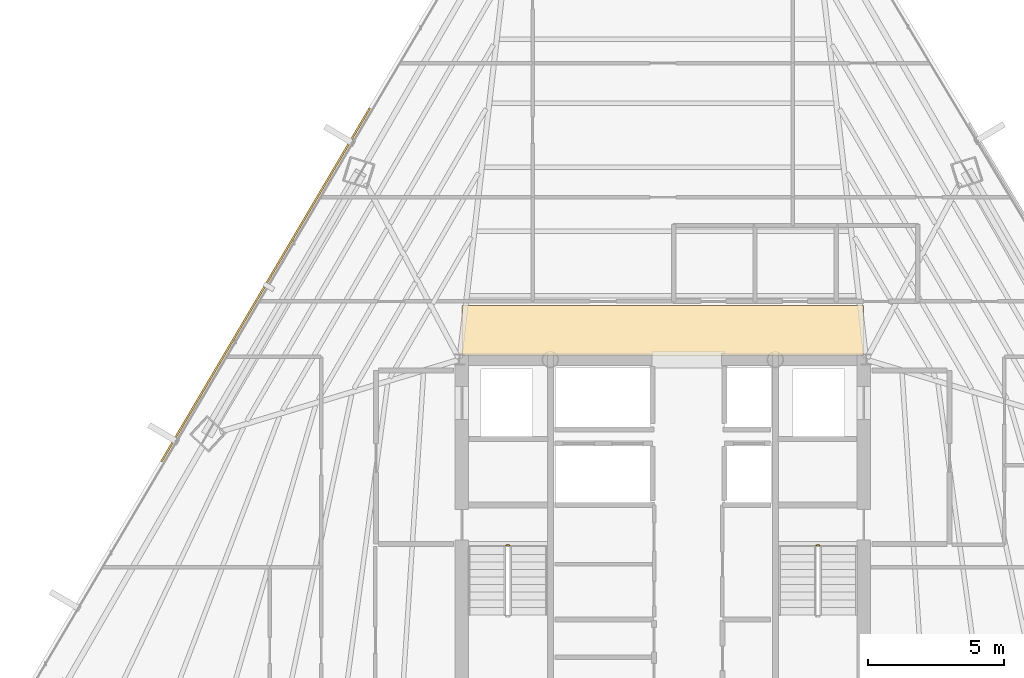
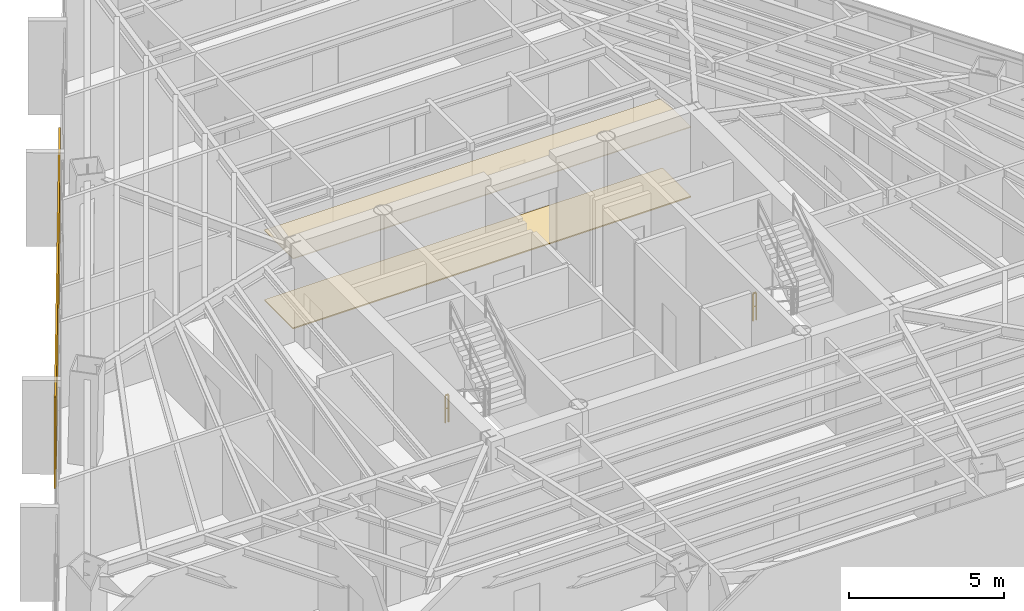
# One storey, part 40 of 41: 2 coverings, 2 railings, 1 shading device.
"""IFC4 building model written with IfcOpenShell, lengths in metres."""

from ifc_helpers import new_model, si_unit, direction, frame, origin, origin_2d, place, context, subcontext, project, spatial, polyline, rectangle, outline, extrude, source, transform, mapped, material, layer, layer_set, type_object, type_shapes, element, save


model = new_model("IFC4")

# Units and contexts
model_context = context("Model", 3, precision=1e-05, world=origin(), true_north=direction((0.0, 1.0)))
body_context = subcontext(model_context, "Body", "Model", "MODEL_VIEW")
ifc_project = project(units=[si_unit("LENGTHUNIT", "METRE"), si_unit("AREAUNIT", "SQUARE_METRE"), si_unit("VOLUMEUNIT", "CUBIC_METRE"), si_unit("PLANEANGLEUNIT", "RADIAN"), si_unit("MASSUNIT", "GRAM", prefix="KILO")], contexts=[model_context])

# Site, building, storey
site_placement = place(None, origin())
site = spatial("IfcSite", under=ifc_project, at=site_placement, CompositionType="ELEMENT")
building_placement = place(site_placement, origin())
building = spatial("IfcBuilding", under=site, at=building_placement, Name="Caelisora Broadcast Tower", CompositionType="ELEMENT")
storey_placement = place(building_placement, frame((0.0, 0.0, 180.39990234375)))
storey = spatial("IfcBuildingStorey", under=building, at=storey_placement, Name="L47", CompositionType="ELEMENT", Elevation=180.39990234375)

# Coverings
ifc_material_1 = material(Name="Perforated Mineral-Fibre Acoustic Ceiling Tile", Category="gypsum")
ifc_layer_1 = layer(ifc_material_1, 0.034912109375, Name="Perforated Mineral-Fibre Acoustic Ceiling Tile")
ifc_layer_set_1 = layer_set([ifc_layer_1], Name="Perforated Mineral-Fibre Acoustic Ceiling Tile")
covering_type_1 = type_object("IfcCoveringType", Name="CE-1", PredefinedType="CEILING", material=ifc_layer_set_1)
covering_1_placement = place(storey_placement, frame((0.0, 0.0, 2.75)))
element("IfcCovering", 1, at=covering_1_placement, inside=storey, type_object=covering_type_1, Name="L47 acoustic corridor ceiling CE-1 (N)", PredefinedType="CEILING", context=body_context, shape_type="SweptSolid", body=[
    extrude(outline(polyline([(30.60009765625, 30.14990234375), (45.39990234375, 30.14990234375), (45.39990234375, 32.0), (30.60009765625, 32.0), (30.60009765625, 30.14990234375)])), origin(), (0.0, 0.0, 1.0), 0.03515625),
])
ifc_material_2 = material(Name="Anti-Static Broadcast Raised Access Floor Panel", Category="steel")
ifc_layer_2 = layer(ifc_material_2, 0.044921875, Name="Anti-Static Broadcast Raised Access Floor Panel")
ifc_layer_set_2 = layer_set([ifc_layer_2], Name="Anti-Static Broadcast Raised Access Floor Panel")
covering_type_2 = type_object("IfcCoveringType", Name="FL-1", PredefinedType="FLOORING", material=ifc_layer_set_2)
covering_2_placement = place(storey_placement, origin())
element("IfcCovering", 2, at=covering_2_placement, inside=storey, type_object=covering_type_2, Name="L47 broadcast raised access floor FL-1 (N)", PredefinedType="FLOORING", context=body_context, shape_type="SweptSolid", body=[
    extrude(outline(polyline([(30.60009765625, 30.14990234375), (45.39990234375, 30.14990234375), (45.39990234375, 32.0), (30.60009765625, 32.0), (30.60009765625, 30.14990234375)])), origin(), (0.0, 0.0, 1.0), 0.045166015625),
])

# Railings
ifc_material_3 = material(Name="Galvanised Steel Safety Guardrail", Category="steel")
ifc_layer_3 = layer(ifc_material_3, 0.048095703125, Name="Galvanised Steel Safety Guardrail")
ifc_layer_set_3 = layer_set([ifc_layer_3], Name="Galvanised Steel Safety Guardrail")
railing_type = type_object("IfcRailingType", Name="GR-1", PredefinedType="GUARDRAIL", material=ifc_layer_set_3)
for number, where, name in (
    (3, (32.219970703125, 23.14990234375, 0.0), "L47 ST-1 stair guard 4"),
    (4, (43.659912109375, 23.14990234375, 0.0), "L47 ST-2 stair guard 4"),
):
    element("IfcRailing", number, at=place(storey_placement, frame(where)), inside=storey, type_object=railing_type, Name=name, PredefinedType="GUARDRAIL", context=body_context, shape_type="SweptSolid", body=[
        extrude(rectangle(XDim=0.048095703125, YDim=0.048095703125, at=origin_2d()), frame((0.0, 0.0, 1.076171875), z_axis=(1.0, 0.0, 0.0), x_axis=(0.0, 1.0, 0.0)), (0.0, 0.0, 1.0), 0.1201171875),
        extrude(rectangle(XDim=0.03125, YDim=0.03125, at=origin_2d()), frame((0.0, 0.0, 0.550048828125), z_axis=(1.0, 0.0, 0.0), x_axis=(0.0, 1.0, 0.0)), (0.0, 0.0, 1.0), 0.1201171875),
        extrude(rectangle(XDim=0.0419921875, YDim=0.0419921875, at=origin_2d()), origin(), (0.0, 0.0, 1.0), 1.052001953125),
        extrude(rectangle(XDim=0.0419921875, YDim=0.0419921875, at=origin_2d()), frame((0.1201171875, 0.0, 0.0)), (0.0, 0.0, 1.0), 1.052001953125),
    ])

# Shading device
ifc_material_4 = material(Name="Perforated Glazed Terracotta Baguette Solar Screen", Category="ceramic")
ifc_layer_4 = layer(ifc_material_4, 0.06494140625, Name="Perforated Glazed Terracotta Baguette Solar Screen")
ifc_layer_set_4 = layer_set([ifc_layer_4], Name="Perforated Glazed Terracotta Baguette Solar Screen")
shading_device_type = type_object("IfcShadingDeviceType", Name="SS-1", PredefinedType="USERDEFINED", material=ifc_layer_set_4)
shared_shape = source(origin(), body_context, "Body", "SweptSolid", [
    extrude(rectangle(XDim=15.134033203125, YDim=0.06494140625, at=origin_2d()), origin(), (0.0, 0.0, 1.0), 3.590087890625),
])
type_shapes(shading_device_type, [shared_shape])
shading_device_placement = place(storey_placement, frame((23.347900390625, 32.759765625, 0.0), z_axis=(0.0, 0.0, 1.0), x_axis=(-0.508139769859, -0.861274621876, 0.0)))
element("IfcShadingDevice", 5, at=shading_device_placement, inside=storey, type_object=shading_device_type, Name="L47 perforated terracotta solar screen #1", ObjectType="SOLAR SCREEN", PredefinedType="USERDEFINED", context=body_context, shape_type="MappedRepresentation", body=[
    mapped(shared_shape, transform((0.0, 0.0, 0.0), scale=1.0)),
])

save(model, "model.ifc")
